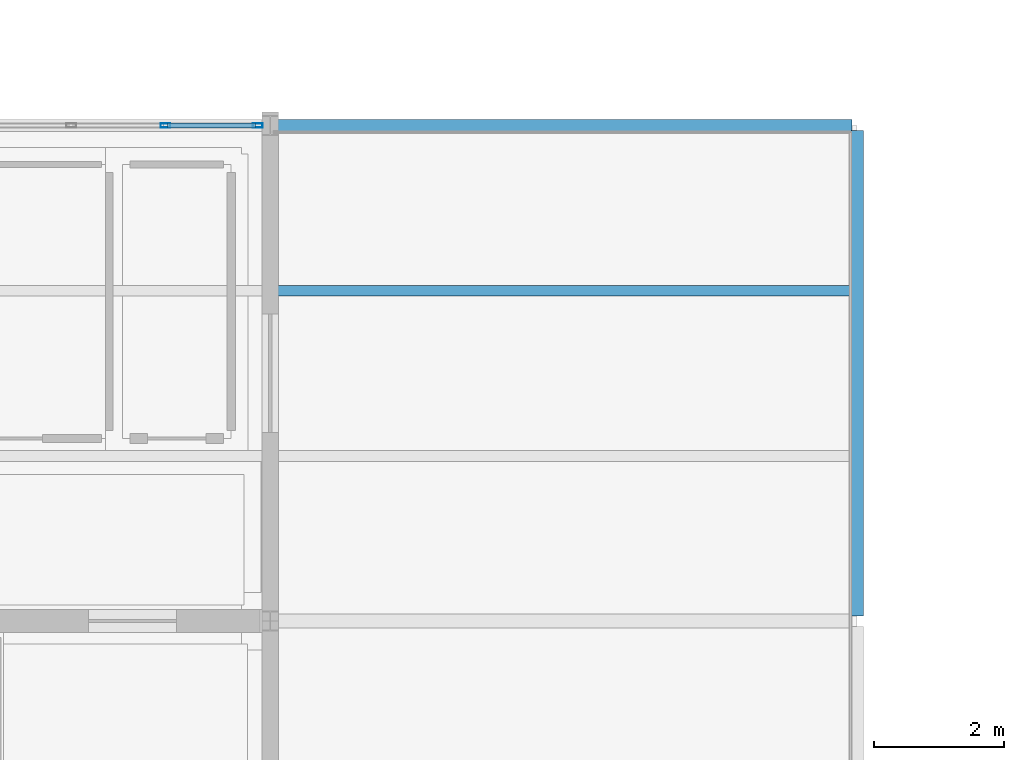
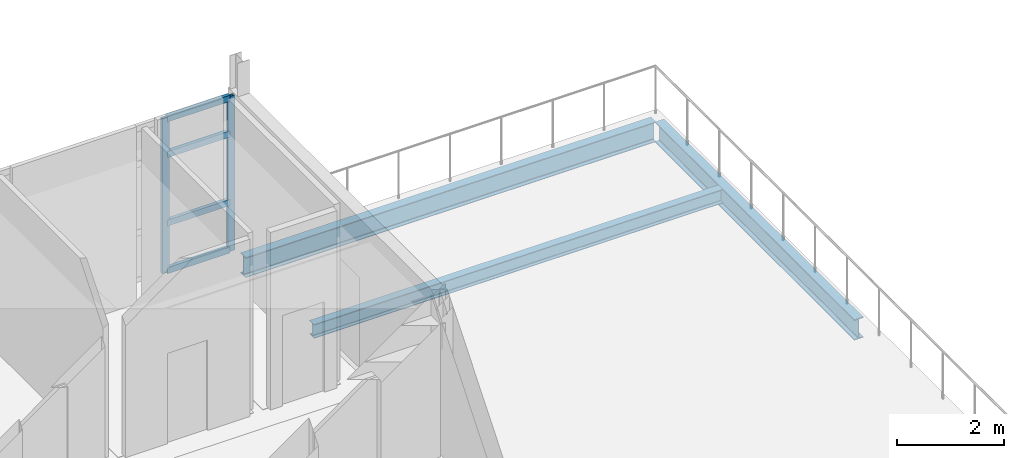
# One storey, part 11 of 24: 6 members, 3 beams, 1 element without a shape of its own.
"""IFC4 building model written with IfcOpenShell, lengths in metres."""

from ifc_helpers import new_model, si_unit, direction, frame, origin, origin_2d, place, context, subcontext, project, spatial, hollow_rectangle, i_section, extrude, material, material_profile, profile_set, type_object, element, aggregate, save


model = new_model("IFC4")

# Units and contexts
model_context = context("Model", 3, precision=1e-05, world=origin(), true_north=direction((0.0, 1.0)))
body_context = subcontext(model_context, "Body", "Model", "MODEL_VIEW")
ifc_project = project(units=[si_unit("LENGTHUNIT", "METRE"), si_unit("AREAUNIT", "SQUARE_METRE"), si_unit("VOLUMEUNIT", "CUBIC_METRE"), si_unit("PLANEANGLEUNIT", "RADIAN"), si_unit("MASSUNIT", "GRAM", prefix="KILO")], contexts=[model_context])

# Site, building, storey
site_placement = place(None, origin())
site = spatial("IfcSite", under=ifc_project, at=site_placement, CompositionType="ELEMENT")
building_placement = place(site_placement, origin())
building = spatial("IfcBuilding", under=site, at=building_placement, Name="Caisbarro Railhouse Central Library", CompositionType="ELEMENT")
storey_placement = place(building_placement, frame((0.0, 0.0, 22.320068359375)))
storey = spatial("IfcBuildingStorey", under=building, at=storey_placement, Name="L05", CompositionType="ELEMENT", Elevation=22.320068359375)

# Beams
ifc_material_1 = material(Name="Steel ASTM A572 Grade 50", Category="steel")
ifc_material_profile_1 = material_profile(ifc_material_1, i_section(OverallWidth=0.194091796875, OverallDepth=0.468994140625, WebThickness=0.0126953125, FlangeThickness=0.0205078125, FilletRadius=0.01806640625, at=origin_2d()), Name="W460X106.0")
ifc_profile_set_1 = profile_set([ifc_material_profile_1], Name="Steel ASTM A572 Grade 50")
beam_type_1 = type_object("IfcBeamType", Name="BM-G07", PredefinedType="BEAM", material=ifc_profile_set_1)
beam_1_placement = place(storey_placement, frame((108.0, 15.280029296875, -0.444580078125), z_axis=(0.0, 1.0, 0.0), x_axis=(-1.0, 0.0, 0.0)))
element("IfcBeam", 1, at=beam_1_placement, inside=storey, type_object=beam_type_1, Name="G07 beam L05 #2227", PredefinedType="BEAM", context=body_context, shape_type="SweptSolid", body=[
    extrude(i_section(OverallWidth=0.194091796875, OverallDepth=0.468994140625, WebThickness=0.0126953125, FlangeThickness=0.0205078125, FilletRadius=0.01806640625, at=origin_2d()), origin(), (0.0, 0.0, 1.0), 7.43994140625),
])
ifc_material_profile_2 = material_profile(ifc_material_1, i_section(OverallWidth=0.1669921875, OverallDepth=0.31689453125, WebThickness=0.007568359375, FlangeThickness=0.01318359375, FilletRadius=0.011962890625, at=origin_2d()), Name="W310X52.0")
ifc_profile_set_2 = profile_set([ifc_material_profile_2], Name="Steel ASTM A572 Grade 50")
beam_type_2 = type_object("IfcBeamType", Name="BM-J02", PredefinedType="JOIST", material=ifc_profile_set_2)
beam_2_placement = place(storey_placement, frame((99.096923828125, 20.2666015625, -0.36865234375), z_axis=(1.0, 0.0, 0.0), x_axis=(0.0, 1.0, 0.0)))
element("IfcBeam", 2, at=beam_2_placement, inside=storey, type_object=beam_type_2, Name="J02 beam L05 #2233", PredefinedType="JOIST", context=body_context, shape_type="SweptSolid", body=[
    extrude(i_section(OverallWidth=0.1669921875, OverallDepth=0.31689453125, WebThickness=0.007568359375, FlangeThickness=0.01318359375, FilletRadius=0.011962890625, at=origin_2d()), origin(), (0.0, 0.0, 1.0), 8.80615234375),
])
ifc_material_profile_3 = material_profile(ifc_material_1, i_section(OverallWidth=0.18994140625, OverallDepth=0.45703125, WebThickness=0.009033203125, FlangeThickness=0.014404296875, FilletRadius=0.01806640625, at=origin_2d()), Name="W460X74.0")
ifc_profile_set_3 = profile_set([ifc_material_profile_3], Name="Steel ASTM A572 Grade 50")
beam_type_3 = type_object("IfcBeamType", Name="BM-SP01", PredefinedType="SPANDREL", material=ifc_profile_set_3)
beam_3_placement = place(storey_placement, frame((99.080078125, 22.800048828125, -0.4384765625), z_axis=(1.0, 0.0, 0.0), x_axis=(0.0, 1.0, 0.0)))
element("IfcBeam", 3, at=beam_3_placement, inside=storey, type_object=beam_type_3, Name="SP01 beam L05 #2224", PredefinedType="SPANDREL", context=body_context, shape_type="SweptSolid", body=[
    extrude(i_section(OverallWidth=0.18994140625, OverallDepth=0.45703125, WebThickness=0.009033203125, FlangeThickness=0.014404296875, FilletRadius=0.01806640625, at=origin_2d()), origin(), (0.0, 0.0, 1.0), 8.83984375),
])

# Curtain wall, members
ifc_material_2 = material(Name="Anodised architectural aluminium", Category="aluminium")
curtain_wall_type = type_object("IfcCurtainWallType", Name="CW-CW02", PredefinedType="NOTDEFINED", material=ifc_material_2)
curtain_wall_placement = place(storey_placement, origin())
curtain_wall = element("IfcCurtainWall", 4, at=curtain_wall_placement, inside=storey, type_object=curtain_wall_type, Name="CW02 curtain wall L05 #73", PredefinedType="NOTDEFINED")
ifc_material_profile_4 = material_profile(ifc_material_2, hollow_rectangle(XDim=0.06494140625, YDim=0.14990234375, WallThickness=0.00390625, at=origin_2d()), Name="ALU-MUL-65X150")
ifc_profile_set_4 = profile_set([ifc_material_profile_4], Name="Anodised architectural aluminium")
member_type_1 = type_object("IfcMemberType", Name="CWM-M02", PredefinedType="MULLION", material=ifc_profile_set_4)
member_1_placement = place(storey_placement, frame((97.393310546875, 22.800048828125, 0.0), z_axis=(0.0, 0.0, 1.0), x_axis=(0.0, 1.0, 0.0)))
member_1 = element("IfcMember", 5, at=member_1_placement, type_object=member_type_1, Name="CW02 mullion 6", PredefinedType="MULLION", context=body_context, shape_type="SweptSolid", body=[
    extrude(hollow_rectangle(XDim=0.06494140625, YDim=0.14990234375, WallThickness=0.00390625, at=origin_2d()), origin(), (0.0, 0.0, 1.0), 3.530029296875),
])
member_2_placement = place(storey_placement, frame((98.8076171875, 22.800048828125, 0.0), z_axis=(0.0, 0.0, 1.0), x_axis=(0.0, 1.0, 0.0)))
member_2 = element("IfcMember", 6, at=member_2_placement, type_object=member_type_1, Name="CW02 mullion 7", PredefinedType="MULLION", context=body_context, shape_type="SweptSolid", body=[
    extrude(hollow_rectangle(XDim=0.06494140625, YDim=0.14990234375, WallThickness=0.00390625, at=origin_2d()), origin(), (0.0, 0.0, 1.0), 3.530029296875),
])
ifc_material_profile_5 = material_profile(ifc_material_2, hollow_rectangle(XDim=0.074951171875, YDim=0.139892578125, WallThickness=0.00390625, at=origin_2d()), Name="ALU-TRN-75X140")
ifc_profile_set_5 = profile_set([ifc_material_profile_5], Name="Anodised architectural aluminium")
member_type_2 = type_object("IfcMemberType", Name="CWT-T01", PredefinedType="USERDEFINED", material=ifc_profile_set_5)
member_3_placement = place(storey_placement, frame((97.42578125, 22.800048828125, 0.037353515625), z_axis=(1.0, 0.0, 0.0), x_axis=(0.0, 1.0, 0.0)))
member_3 = element("IfcMember", 7, at=member_3_placement, type_object=member_type_2, Name="CW02 transom 6.1", ObjectType="TRANSOM", PredefinedType="USERDEFINED", context=body_context, shape_type="SweptSolid", body=[
    extrude(hollow_rectangle(XDim=0.074951171875, YDim=0.139892578125, WallThickness=0.00390625, at=origin_2d()), origin(), (0.0, 0.0, 1.0), 1.34912109375),
])
member_4_placement = place(storey_placement, frame((97.42578125, 22.800048828125, 1.119873046875), z_axis=(1.0, 0.0, 0.0), x_axis=(0.0, 1.0, 0.0)))
member_4 = element("IfcMember", 8, at=member_4_placement, type_object=member_type_2, Name="CW02 transom 6.2", ObjectType="TRANSOM", PredefinedType="USERDEFINED", context=body_context, shape_type="SweptSolid", body=[
    extrude(hollow_rectangle(XDim=0.074951171875, YDim=0.139892578125, WallThickness=0.00390625, at=origin_2d()), origin(), (0.0, 0.0, 1.0), 1.34912109375),
])
member_5_placement = place(storey_placement, frame((97.42578125, 22.800048828125, 2.679931640625), z_axis=(1.0, 0.0, 0.0), x_axis=(0.0, 1.0, 0.0)))
member_5 = element("IfcMember", 9, at=member_5_placement, type_object=member_type_2, Name="CW02 transom 6.3", ObjectType="TRANSOM", PredefinedType="USERDEFINED", context=body_context, shape_type="SweptSolid", body=[
    extrude(hollow_rectangle(XDim=0.074951171875, YDim=0.139892578125, WallThickness=0.00390625, at=origin_2d()), origin(), (0.0, 0.0, 1.0), 1.34912109375),
])
member_6_placement = place(storey_placement, frame((97.42578125, 22.800048828125, 3.492431640625), z_axis=(1.0, 0.0, 0.0), x_axis=(0.0, 1.0, 0.0)))
member_6 = element("IfcMember", 10, at=member_6_placement, type_object=member_type_2, Name="CW02 transom 6.4", ObjectType="TRANSOM", PredefinedType="USERDEFINED", context=body_context, shape_type="SweptSolid", body=[
    extrude(hollow_rectangle(XDim=0.074951171875, YDim=0.139892578125, WallThickness=0.00390625, at=origin_2d()), origin(), (0.0, 0.0, 1.0), 1.34912109375),
])
aggregate(curtain_wall, [member_1, member_2, member_3, member_4, member_5, member_6])

save(model, "model.ifc")
